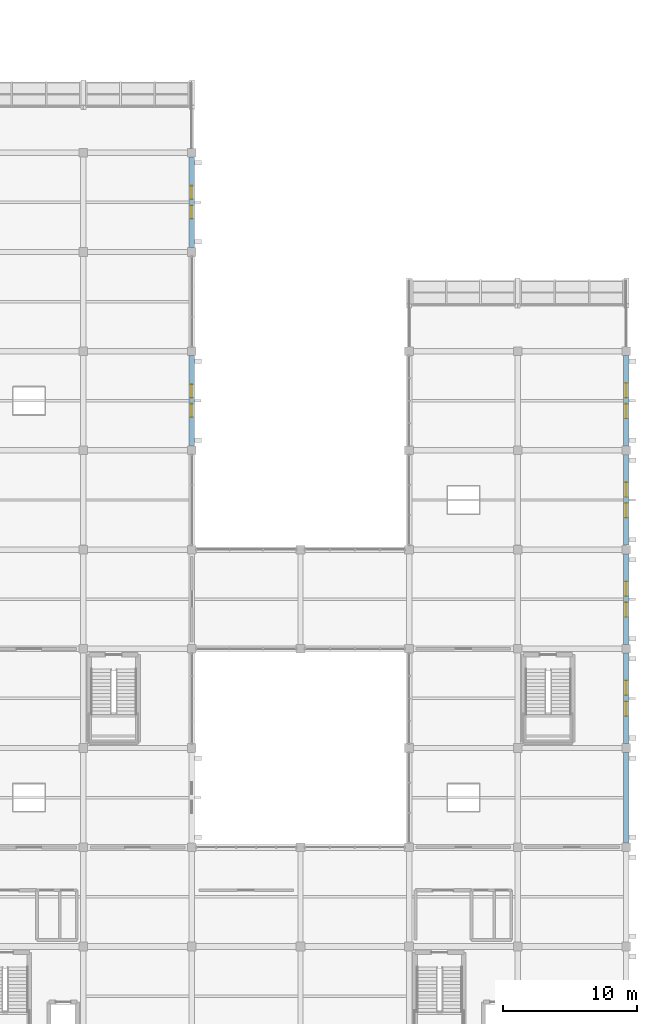
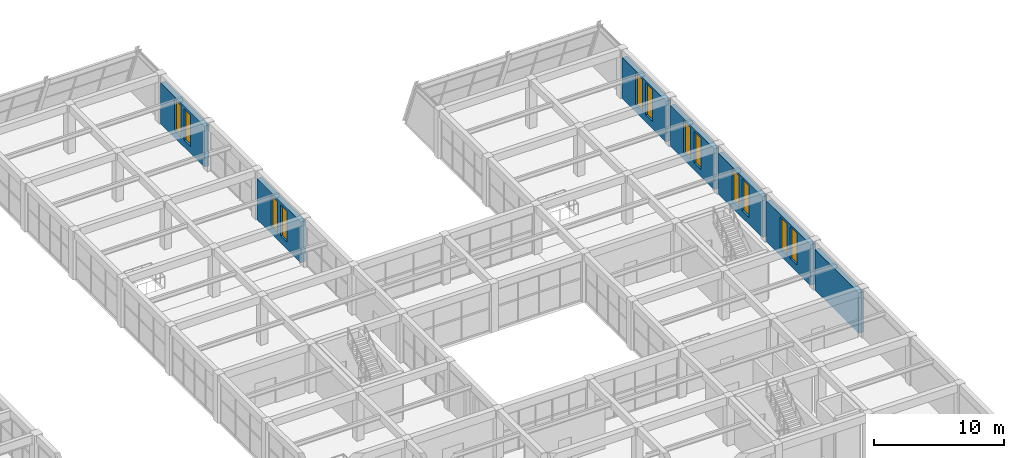
# One storey, part 152 of 161: 12 windows, 7 walls, 12 openings.
"""IFC4 building model written with IfcOpenShell, lengths in metres."""

from ifc_helpers import new_model, si_unit, direction, frame, frame_2d, origin, place, context, subcontext, project, spatial, rectangle, extrude, material, layer, layer_set, type_object, element, fill, save


model = new_model("IFC4")

# Units and contexts
model_context = context("Model", 3, precision=1e-05, world=origin(), true_north=direction((0.0, 1.0)))
body_context = subcontext(model_context, "Body", "Model", "MODEL_VIEW")
ifc_project = project(units=[si_unit("LENGTHUNIT", "METRE"), si_unit("AREAUNIT", "SQUARE_METRE"), si_unit("VOLUMEUNIT", "CUBIC_METRE"), si_unit("PLANEANGLEUNIT", "RADIAN"), si_unit("MASSUNIT", "GRAM", prefix="KILO")], contexts=[model_context])

# Site, building, storey
site_placement = place(None, origin())
site = spatial("IfcSite", under=ifc_project, at=site_placement, CompositionType="ELEMENT")
building_placement = place(site_placement, origin())
building = spatial("IfcBuilding", under=site, at=building_placement, Name="Cimatlan Art Gallery", CompositionType="ELEMENT")
storey_placement = place(building_placement, frame((0.0, 0.0, 5.39990234375)))
storey = spatial("IfcBuildingStorey", under=building, at=storey_placement, Name="L01", CompositionType="ELEMENT", Elevation=5.39990234375)

# Wall, openings, windows
ifc_material_1 = material(Name="Precast concrete C40/50", Category="concrete")
ifc_layer = layer(ifc_material_1, 0.419921875)
ifc_layer_set = layer_set([ifc_layer], Name="Precast concrete C40/50")
wall_type = type_object("IfcWallType", Name="WL-EXT-CAN-420", PredefinedType="SOLIDWALL", material=ifc_layer_set)
wall_1_placement = place(storey_placement, frame((131.60009765625, 75.37109375, 0.0), z_axis=(0.0, 0.0, 1.0), x_axis=(0.0, -1.0, 0.0)))
wall_1 = element("IfcWall", 1, at=wall_1_placement, inside=storey, type_object=wall_type, Name="WL-EXT-L01-15-09-E", PredefinedType="SOLIDWALL", context=body_context, shape_type="SweptSolid", body=[
    extrude(rectangle(XDim=6.7421875, YDim=0.419921875, at=frame_2d((3.37109375, 0.0))), origin(), (0.0, 0.0, 1.0), 3.84521484375),
])
opening_1_placement = place(wall_1_placement, frame((2.15087890625, 0.0, 0.64990234375)))
opening_1 = element("IfcOpeningElement", 2, at=opening_1_placement, cuts=wall_1, Name="Opening WN-0113", PredefinedType="OPENING", context=body_context, shape_type="SweptSolid", body=[
    extrude(rectangle(XDim=0.97998046875, YDim=2.919921875, at=frame_2d((0.489990234375, 1.4599609375))), frame((0.0, 0.219970703125, 0.0), z_axis=(0.0, -1.0, 0.0), x_axis=(1.0, 0.0, 0.0)), (0.0, 0.0, 1.0), 0.43994140625),
])
opening_2_placement = place(wall_1_placement, frame((3.611083984375, 0.0, 0.64990234375)))
opening_2 = element("IfcOpeningElement", 3, at=opening_2_placement, cuts=wall_1, Name="Opening WN-0114", PredefinedType="OPENING", context=body_context, shape_type="SweptSolid", body=[
    extrude(rectangle(XDim=0.97998046875, YDim=2.919921875, at=frame_2d((0.489990234375, 1.4599609375))), frame((0.0, 0.219970703125, 0.0), z_axis=(0.0, -1.0, 0.0), x_axis=(1.0, 0.0, 0.0)), (0.0, 0.0, 1.0), 0.43994140625),
])
ifc_material_2 = material(Name="Low-E laminated double glazing in bronze lancet frame", Category="glass")
window_type_1 = type_object("IfcWindowType", Name="WIN-PAV-E1-0980X2920", PartitioningType="SINGLE_PANEL", PredefinedType="WINDOW", material=ifc_material_2)
window_1_placement = place(opening_1_placement, origin())
window_1 = element("IfcWindow", 4, at=window_1_placement, inside=storey, type_object=window_type_1, Name="WIN-0113", OverallHeight=2.919921875, OverallWidth=0.97998046875, PartitioningType="SINGLE_PANEL", PredefinedType="WINDOW", context=body_context, shape_type="SweptSolid", body=[
    extrude(rectangle(XDim=0.97998046875, YDim=2.919921875, at=frame_2d((0.489990234375, 1.4599609375))), frame((0.0, 0.030029296875, 0.0), z_axis=(0.0, -1.0, 0.0), x_axis=(1.0, 0.0, 0.0)), (0.0, 0.0, 1.0), 0.06005859375),
])
fill(opening_1, window_1)
window_2_placement = place(opening_2_placement, origin())
window_2 = element("IfcWindow", 5, at=window_2_placement, inside=storey, type_object=window_type_1, Name="WIN-0114", OverallHeight=2.919921875, OverallWidth=0.97998046875, PartitioningType="SINGLE_PANEL", PredefinedType="WINDOW", context=body_context, shape_type="SweptSolid", body=[
    extrude(rectangle(XDim=0.97998046875, YDim=2.919921875, at=frame_2d((0.489990234375, 1.4599609375))), frame((0.0, 0.030029296875, 0.0), z_axis=(0.0, -1.0, 0.0), x_axis=(1.0, 0.0, 0.0)), (0.0, 0.0, 1.0), 0.06005859375),
])
fill(opening_2, window_2)

wall_2_placement = place(storey_placement, frame((131.60009765625, 90.1708984375, 0.0), z_axis=(0.0, 0.0, 1.0), x_axis=(0.0, -1.0, 0.0)))
wall_2 = element("IfcWall", 6, at=wall_2_placement, inside=storey, type_object=wall_type, Name="WL-EXT-L01-15-11-E", PredefinedType="SOLIDWALL", context=body_context, shape_type="SweptSolid", body=[
    extrude(rectangle(XDim=6.741943359375, YDim=0.419921875, at=frame_2d((3.37109375, 0.0))), origin(), (0.0, 0.0, 1.0), 3.84521484375),
])
opening_3_placement = place(wall_2_placement, frame((2.15087890625, 0.0, 0.64990234375)))
opening_3 = element("IfcOpeningElement", 7, at=opening_3_placement, cuts=wall_2, Name="Opening WN-0115", PredefinedType="OPENING", context=body_context, shape_type="SweptSolid", body=[
    extrude(rectangle(XDim=0.97998046875, YDim=2.919921875, at=frame_2d((0.489990234375, 1.4599609375))), frame((0.0, 0.219970703125, 0.0), z_axis=(0.0, -1.0, 0.0), x_axis=(1.0, 0.0, 0.0)), (0.0, 0.0, 1.0), 0.43994140625),
])
opening_4_placement = place(wall_2_placement, frame((3.611083984375, 0.0, 0.64990234375)))
opening_4 = element("IfcOpeningElement", 8, at=opening_4_placement, cuts=wall_2, Name="Opening WN-0116", PredefinedType="OPENING", context=body_context, shape_type="SweptSolid", body=[
    extrude(rectangle(XDim=0.97998046875, YDim=2.919921875, at=frame_2d((0.489990234375, 1.4599609375))), frame((0.0, 0.219970703125, 0.0), z_axis=(0.0, -1.0, 0.0), x_axis=(1.0, 0.0, 0.0)), (0.0, 0.0, 1.0), 0.43994140625),
])
window_3_placement = place(opening_3_placement, origin())
window_3 = element("IfcWindow", 9, at=window_3_placement, inside=storey, type_object=window_type_1, Name="WIN-0115", OverallHeight=2.919921875, OverallWidth=0.97998046875, PartitioningType="SINGLE_PANEL", PredefinedType="WINDOW", context=body_context, shape_type="SweptSolid", body=[
    extrude(rectangle(XDim=0.97998046875, YDim=2.919921875, at=frame_2d((0.489990234375, 1.4599609375))), frame((0.0, 0.030029296875, 0.0), z_axis=(0.0, -1.0, 0.0), x_axis=(1.0, 0.0, 0.0)), (0.0, 0.0, 1.0), 0.06005859375),
])
fill(opening_3, window_3)
window_4_placement = place(opening_4_placement, origin())
window_4 = element("IfcWindow", 10, at=window_4_placement, inside=storey, type_object=window_type_1, Name="WIN-0116", OverallHeight=2.919921875, OverallWidth=0.97998046875, PartitioningType="SINGLE_PANEL", PredefinedType="WINDOW", context=body_context, shape_type="SweptSolid", body=[
    extrude(rectangle(XDim=0.97998046875, YDim=2.919921875, at=frame_2d((0.489990234375, 1.4599609375))), frame((0.0, 0.030029296875, 0.0), z_axis=(0.0, -1.0, 0.0), x_axis=(1.0, 0.0, 0.0)), (0.0, 0.0, 1.0), 0.06005859375),
])
fill(opening_4, window_4)

# Wall
wall_3_placement = place(storey_placement, frame((164.0, 45.77099609375, 0.0), z_axis=(0.0, 0.0, 1.0), x_axis=(0.0, -1.0, 0.0)))
element("IfcWall", 11, at=wall_3_placement, inside=storey, type_object=wall_type, Name="WL-EXT-L01-19-05-E", PredefinedType="SOLIDWALL", context=body_context, shape_type="SweptSolid", body=[
    extrude(rectangle(XDim=6.741943359375, YDim=0.419921875, at=frame_2d((3.37109375, 0.0))), origin(), (0.0, 0.0, 1.0), 3.795166015625),
])

# Wall, openings, windows
wall_4_placement = place(storey_placement, frame((164.0, 53.1708984375, 0.0), z_axis=(0.0, 0.0, 1.0), x_axis=(0.0, -1.0, 0.0)))
wall_4 = element("IfcWall", 12, at=wall_4_placement, inside=storey, type_object=wall_type, Name="WL-EXT-L01-19-06-E", PredefinedType="SOLIDWALL", context=body_context, shape_type="SweptSolid", body=[
    extrude(rectangle(XDim=6.741943359375, YDim=0.419921875, at=frame_2d((3.37109375, 0.0))), origin(), (0.0, 0.0, 1.0), 3.84521484375),
])
opening_5_placement = place(wall_4_placement, frame((2.051025390625, 0.0, 0.64990234375)))
opening_5 = element("IfcOpeningElement", 13, at=opening_5_placement, cuts=wall_4, Name="Opening WN-0117", PredefinedType="OPENING", context=body_context, shape_type="SweptSolid", body=[
    extrude(rectangle(XDim=1.080078125, YDim=2.97998046875, at=frame_2d((0.5400390625, 1.489990234375))), frame((0.0, 0.219970703125, 0.0), z_axis=(0.0, -1.0, 0.0), x_axis=(1.0, 0.0, 0.0)), (0.0, 0.0, 1.0), 0.43994140625),
])
opening_6_placement = place(wall_4_placement, frame((3.611083984375, 0.0, 0.64990234375)))
opening_6 = element("IfcOpeningElement", 14, at=opening_6_placement, cuts=wall_4, Name="Opening WN-0118", PredefinedType="OPENING", context=body_context, shape_type="SweptSolid", body=[
    extrude(rectangle(XDim=1.080078125, YDim=2.97998046875, at=frame_2d((0.5400390625, 1.489990234375))), frame((0.0, 0.219970703125, 0.0), z_axis=(0.0, -1.0, 0.0), x_axis=(1.0, 0.0, 0.0)), (0.0, 0.0, 1.0), 0.43994140625),
])
window_type_2 = type_object("IfcWindowType", Name="WIN-STD-L01-1080X2980", PartitioningType="SINGLE_PANEL", PredefinedType="WINDOW", material=ifc_material_2)
window_5_placement = place(opening_5_placement, origin())
window_5 = element("IfcWindow", 15, at=window_5_placement, inside=storey, type_object=window_type_2, Name="WIN-0117", OverallHeight=2.97998046875, OverallWidth=1.080078125, PartitioningType="SINGLE_PANEL", PredefinedType="WINDOW", context=body_context, shape_type="SweptSolid", body=[
    extrude(rectangle(XDim=1.080078125, YDim=2.97998046875, at=frame_2d((0.5400390625, 1.489990234375))), frame((0.0, 0.030029296875, 0.0), z_axis=(0.0, -1.0, 0.0), x_axis=(1.0, 0.0, 0.0)), (0.0, 0.0, 1.0), 0.06005859375),
])
fill(opening_5, window_5)
window_6_placement = place(opening_6_placement, origin())
window_6 = element("IfcWindow", 16, at=window_6_placement, inside=storey, type_object=window_type_2, Name="WIN-0118", OverallHeight=2.97998046875, OverallWidth=1.080078125, PartitioningType="SINGLE_PANEL", PredefinedType="WINDOW", context=body_context, shape_type="SweptSolid", body=[
    extrude(rectangle(XDim=1.080078125, YDim=2.97998046875, at=frame_2d((0.5400390625, 1.489990234375))), frame((0.0, 0.030029296875, 0.0), z_axis=(0.0, -1.0, 0.0), x_axis=(1.0, 0.0, 0.0)), (0.0, 0.0, 1.0), 0.06005859375),
])
fill(opening_6, window_6)

wall_5_placement = place(storey_placement, frame((164.0, 60.571044921875, 0.0), z_axis=(0.0, 0.0, 1.0), x_axis=(0.0, -1.0, 0.0)))
wall_5 = element("IfcWall", 17, at=wall_5_placement, inside=storey, type_object=wall_type, Name="WL-EXT-L01-19-07-E", PredefinedType="SOLIDWALL", context=body_context, shape_type="SweptSolid", body=[
    extrude(rectangle(XDim=6.741943359375, YDim=0.419921875, at=frame_2d((3.37109375, 0.0))), origin(), (0.0, 0.0, 1.0), 3.84521484375),
])
opening_7_placement = place(wall_5_placement, frame((2.051025390625, 0.0, 0.64990234375)))
opening_7 = element("IfcOpeningElement", 18, at=opening_7_placement, cuts=wall_5, Name="Opening WN-0119", PredefinedType="OPENING", context=body_context, shape_type="SweptSolid", body=[
    extrude(rectangle(XDim=1.080078125, YDim=2.97998046875, at=frame_2d((0.5400390625, 1.489990234375))), frame((0.0, 0.219970703125, 0.0), z_axis=(0.0, -1.0, 0.0), x_axis=(1.0, 0.0, 0.0)), (0.0, 0.0, 1.0), 0.43994140625),
])
opening_8_placement = place(wall_5_placement, frame((3.611083984375, 0.0, 0.64990234375)))
opening_8 = element("IfcOpeningElement", 19, at=opening_8_placement, cuts=wall_5, Name="Opening WN-0120", PredefinedType="OPENING", context=body_context, shape_type="SweptSolid", body=[
    extrude(rectangle(XDim=1.080078125, YDim=2.97998046875, at=frame_2d((0.5400390625, 1.489990234375))), frame((0.0, 0.219970703125, 0.0), z_axis=(0.0, -1.0, 0.0), x_axis=(1.0, 0.0, 0.0)), (0.0, 0.0, 1.0), 0.43994140625),
])
window_7_placement = place(opening_7_placement, origin())
window_7 = element("IfcWindow", 20, at=window_7_placement, inside=storey, type_object=window_type_2, Name="WIN-0119", OverallHeight=2.97998046875, OverallWidth=1.080078125, PartitioningType="SINGLE_PANEL", PredefinedType="WINDOW", context=body_context, shape_type="SweptSolid", body=[
    extrude(rectangle(XDim=1.080078125, YDim=2.97998046875, at=frame_2d((0.5400390625, 1.489990234375))), frame((0.0, 0.030029296875, 0.0), z_axis=(0.0, -1.0, 0.0), x_axis=(1.0, 0.0, 0.0)), (0.0, 0.0, 1.0), 0.06005859375),
])
fill(opening_7, window_7)
window_8_placement = place(opening_8_placement, origin())
window_8 = element("IfcWindow", 21, at=window_8_placement, inside=storey, type_object=window_type_2, Name="WIN-0120", OverallHeight=2.97998046875, OverallWidth=1.080078125, PartitioningType="SINGLE_PANEL", PredefinedType="WINDOW", context=body_context, shape_type="SweptSolid", body=[
    extrude(rectangle(XDim=1.080078125, YDim=2.97998046875, at=frame_2d((0.5400390625, 1.489990234375))), frame((0.0, 0.030029296875, 0.0), z_axis=(0.0, -1.0, 0.0), x_axis=(1.0, 0.0, 0.0)), (0.0, 0.0, 1.0), 0.06005859375),
])
fill(opening_8, window_8)

wall_6_placement = place(storey_placement, frame((164.0, 67.970947265625, 0.0), z_axis=(0.0, 0.0, 1.0), x_axis=(0.0, -1.0, 0.0)))
wall_6 = element("IfcWall", 22, at=wall_6_placement, inside=storey, type_object=wall_type, Name="WL-EXT-L01-19-08-E", PredefinedType="SOLIDWALL", context=body_context, shape_type="SweptSolid", body=[
    extrude(rectangle(XDim=6.741943359375, YDim=0.419921875, at=frame_2d((3.37109375, 0.0))), origin(), (0.0, 0.0, 1.0), 3.84521484375),
])
opening_9_placement = place(wall_6_placement, frame((2.051025390625, 0.0, 0.64990234375)))
opening_9 = element("IfcOpeningElement", 23, at=opening_9_placement, cuts=wall_6, Name="Opening WN-0121", PredefinedType="OPENING", context=body_context, shape_type="SweptSolid", body=[
    extrude(rectangle(XDim=1.080078125, YDim=2.97998046875, at=frame_2d((0.5400390625, 1.489990234375))), frame((0.0, 0.219970703125, 0.0), z_axis=(0.0, -1.0, 0.0), x_axis=(1.0, 0.0, 0.0)), (0.0, 0.0, 1.0), 0.43994140625),
])
opening_10_placement = place(wall_6_placement, frame((3.611083984375, 0.0, 0.64990234375)))
opening_10 = element("IfcOpeningElement", 24, at=opening_10_placement, cuts=wall_6, Name="Opening WN-0122", PredefinedType="OPENING", context=body_context, shape_type="SweptSolid", body=[
    extrude(rectangle(XDim=1.080078125, YDim=2.97998046875, at=frame_2d((0.5400390625, 1.489990234375))), frame((0.0, 0.219970703125, 0.0), z_axis=(0.0, -1.0, 0.0), x_axis=(1.0, 0.0, 0.0)), (0.0, 0.0, 1.0), 0.43994140625),
])
window_9_placement = place(opening_9_placement, origin())
window_9 = element("IfcWindow", 25, at=window_9_placement, inside=storey, type_object=window_type_2, Name="WIN-0121", OverallHeight=2.97998046875, OverallWidth=1.080078125, PartitioningType="SINGLE_PANEL", PredefinedType="WINDOW", context=body_context, shape_type="SweptSolid", body=[
    extrude(rectangle(XDim=1.080078125, YDim=2.97998046875, at=frame_2d((0.5400390625, 1.489990234375))), frame((0.0, 0.030029296875, 0.0), z_axis=(0.0, -1.0, 0.0), x_axis=(1.0, 0.0, 0.0)), (0.0, 0.0, 1.0), 0.06005859375),
])
fill(opening_9, window_9)
window_10_placement = place(opening_10_placement, origin())
window_10 = element("IfcWindow", 26, at=window_10_placement, inside=storey, type_object=window_type_2, Name="WIN-0122", OverallHeight=2.97998046875, OverallWidth=1.080078125, PartitioningType="SINGLE_PANEL", PredefinedType="WINDOW", context=body_context, shape_type="SweptSolid", body=[
    extrude(rectangle(XDim=1.080078125, YDim=2.97998046875, at=frame_2d((0.5400390625, 1.489990234375))), frame((0.0, 0.030029296875, 0.0), z_axis=(0.0, -1.0, 0.0), x_axis=(1.0, 0.0, 0.0)), (0.0, 0.0, 1.0), 0.06005859375),
])
fill(opening_10, window_10)

wall_7_placement = place(storey_placement, frame((164.0, 75.37109375, 0.0), z_axis=(0.0, 0.0, 1.0), x_axis=(0.0, -1.0, 0.0)))
wall_7 = element("IfcWall", 27, at=wall_7_placement, inside=storey, type_object=wall_type, Name="WL-EXT-L01-19-09-E", PredefinedType="SOLIDWALL", context=body_context, shape_type="SweptSolid", body=[
    extrude(rectangle(XDim=6.7421875, YDim=0.419921875, at=frame_2d((3.37109375, 0.0))), origin(), (0.0, 0.0, 1.0), 3.84521484375),
])
opening_11_placement = place(wall_7_placement, frame((2.051025390625, 0.0, 0.64990234375)))
opening_11 = element("IfcOpeningElement", 28, at=opening_11_placement, cuts=wall_7, Name="Opening WN-0123", PredefinedType="OPENING", context=body_context, shape_type="SweptSolid", body=[
    extrude(rectangle(XDim=1.080078125, YDim=2.97998046875, at=frame_2d((0.5400390625, 1.489990234375))), frame((0.0, 0.219970703125, 0.0), z_axis=(0.0, -1.0, 0.0), x_axis=(1.0, 0.0, 0.0)), (0.0, 0.0, 1.0), 0.43994140625),
])
opening_12_placement = place(wall_7_placement, frame((3.611083984375, 0.0, 0.64990234375)))
opening_12 = element("IfcOpeningElement", 29, at=opening_12_placement, cuts=wall_7, Name="Opening WN-0124", PredefinedType="OPENING", context=body_context, shape_type="SweptSolid", body=[
    extrude(rectangle(XDim=1.080078125, YDim=2.97998046875, at=frame_2d((0.5400390625, 1.489990234375))), frame((0.0, 0.219970703125, 0.0), z_axis=(0.0, -1.0, 0.0), x_axis=(1.0, 0.0, 0.0)), (0.0, 0.0, 1.0), 0.43994140625),
])
window_11_placement = place(opening_11_placement, origin())
window_11 = element("IfcWindow", 30, at=window_11_placement, inside=storey, type_object=window_type_2, Name="WIN-0123", OverallHeight=2.97998046875, OverallWidth=1.080078125, PartitioningType="SINGLE_PANEL", PredefinedType="WINDOW", context=body_context, shape_type="SweptSolid", body=[
    extrude(rectangle(XDim=1.080078125, YDim=2.97998046875, at=frame_2d((0.5400390625, 1.489990234375))), frame((0.0, 0.030029296875, 0.0), z_axis=(0.0, -1.0, 0.0), x_axis=(1.0, 0.0, 0.0)), (0.0, 0.0, 1.0), 0.06005859375),
])
fill(opening_11, window_11)
window_12_placement = place(opening_12_placement, origin())
window_12 = element("IfcWindow", 31, at=window_12_placement, inside=storey, type_object=window_type_2, Name="WIN-0124", OverallHeight=2.97998046875, OverallWidth=1.080078125, PartitioningType="SINGLE_PANEL", PredefinedType="WINDOW", context=body_context, shape_type="SweptSolid", body=[
    extrude(rectangle(XDim=1.080078125, YDim=2.97998046875, at=frame_2d((0.5400390625, 1.489990234375))), frame((0.0, 0.030029296875, 0.0), z_axis=(0.0, -1.0, 0.0), x_axis=(1.0, 0.0, 0.0)), (0.0, 0.0, 1.0), 0.06005859375),
])
fill(opening_12, window_12)

save(model, "model.ifc")
